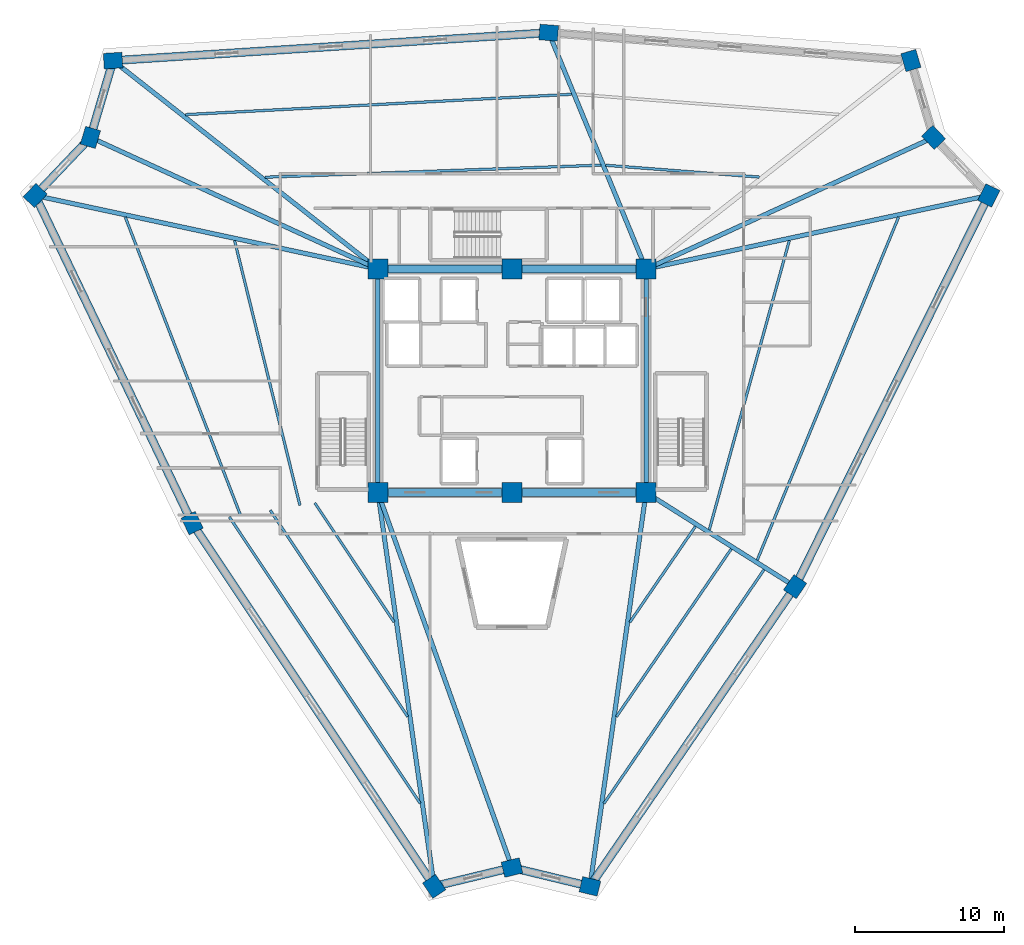
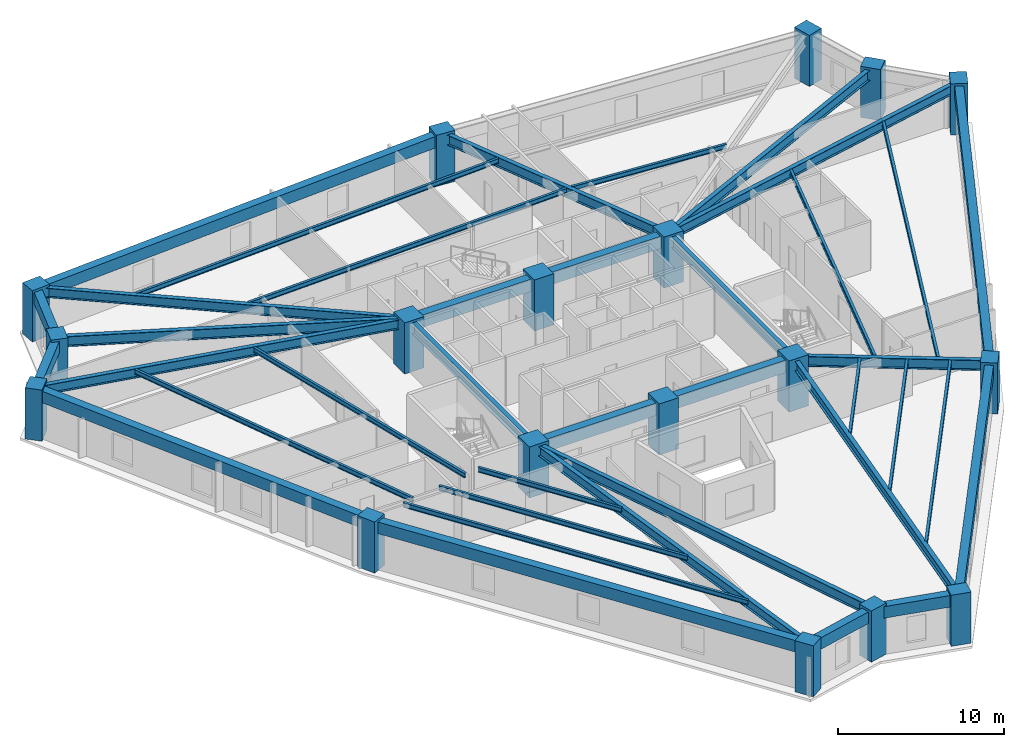
# One storey, part 1 of 8: 38 beams, 18 columns.
"""IFC4 building model written with IfcOpenShell, lengths in metres."""

import ifcopenshell
import ifcopenshell.guid

model = None  # the IFC model being written
_history = None  # IfcOwnerHistory: only IFC2X3 demands one
_inside = {}  # id of a spatial element -> (the spatial element, [elements in it])
_under = {}  # id of a project, library or spatial element -> (it, [spatial elements below it])
_declared = {}  # id of a project -> (the project, [libraries it declares])
_typed = {}  # id of a type object -> (the type object, [elements of that type])
_made_of = {}  # id of a material, layer set ... -> (it, [elements and type objects made of it])


def new_model(schema):
    """Start an empty IFC model of exactly this schema.

    Asked for "IFC4X3", IfcOpenShell would pick the latest addendum, in which some entities
    have other attributes; the version numbers below select the first issue.
    IFC2X3 requires an IfcOwnerHistory on every rooted entity: one is made here for all.
    """
    global model, _history
    if schema == "IFC4X3":
        model = ifcopenshell.file(schema_version=(4, 3, 0, 0))
    else:
        model = ifcopenshell.file(schema=schema)
    _inside.clear()
    _under.clear()
    _declared.clear()
    _typed.clear()
    _made_of.clear()
    _history = None
    if model.schema == "IFC2X3":
        org = make("IfcOrganization", Name="unknown")
        user = make(
            "IfcPersonAndOrganization",
            ThePerson=make("IfcPerson", FamilyName="unknown"),
            TheOrganization=org,
        )
        app = make(
            "IfcApplication",
            ApplicationDeveloper=org,
            Version="unknown",
            ApplicationFullName="unknown",
            ApplicationIdentifier="unknown",
        )
        _history = make(
            "IfcOwnerHistory",
            OwningUser=user,
            OwningApplication=app,
            ChangeAction="ADDED",
            CreationDate=0,
        )
    return model


def make(cls, **values):
    """One entity of the class cls with the attributes given. An attribute that is None is left unset."""
    return model.create_entity(
        cls, **{name: value for name, value in values.items() if value is not None}
    )


def rooted(cls, **values):
    """An entity with a GlobalId (a new one), such as an element, a storey or a relation."""
    return make(cls, GlobalId=ifcopenshell.guid.new(), OwnerHistory=_history, **values)


def si_unit(unit_type, name, prefix=None):
    """IfcSIUnit, for example si_unit("LENGTHUNIT", "METRE", prefix="MILLI")."""
    return make("IfcSIUnit", UnitType=unit_type, Prefix=prefix, Name=name)


def assignment(units):
    """IfcUnitAssignment: the units of a project."""
    return None if units is None else make("IfcUnitAssignment", Units=units)


def point(xyz):
    """IfcCartesianPoint."""
    return None if xyz is None else make("IfcCartesianPoint", Coordinates=xyz)


def direction(xyz):
    """IfcDirection."""
    return None if xyz is None else make("IfcDirection", DirectionRatios=xyz)


def frame(location, z_axis=None, x_axis=None):
    """IfcAxis2Placement3D, a coordinate frame: its origin and axes. An axis left out is left unset."""
    return make(
        "IfcAxis2Placement3D",
        Location=point(location),
        Axis=direction(z_axis),
        RefDirection=direction(x_axis),
    )


def frame_2d(location, x_axis=None):
    """IfcAxis2Placement2D, a coordinate frame in the plane: its origin and x axis."""
    return make(
        "IfcAxis2Placement2D", Location=point(location), RefDirection=direction(x_axis)
    )


def origin():
    """The frame at (0, 0, 0) with its axes left unset."""
    return frame((0.0, 0.0, 0.0))


def origin_2d():
    """The frame at (0, 0) in the plane with its x axis left unset."""
    return frame_2d((0.0, 0.0))


def place(relative_to, where):
    """IfcLocalPlacement: puts the frame where relative to a parent placement (None: the world)."""
    return make(
        "IfcLocalPlacement", PlacementRelTo=relative_to, RelativePlacement=where
    )


def context(
    kind, dimensions, precision=None, world=None, true_north=None, identifier=None
):
    """IfcGeometricRepresentationContext, for example the 3D "Model" context."""
    return make(
        "IfcGeometricRepresentationContext",
        ContextIdentifier=identifier,
        ContextType=kind,
        CoordinateSpaceDimension=dimensions,
        Precision=precision,
        WorldCoordinateSystem=world,
        TrueNorth=true_north,
    )


def subcontext(parent, identifier, kind, view, scale=None):
    """IfcGeometricRepresentationSubContext, for example "Body" below "Model"."""
    return make(
        "IfcGeometricRepresentationSubContext",
        ContextIdentifier=identifier,
        ContextType=kind,
        ParentContext=parent,
        TargetScale=scale,
        TargetView=view,
    )


def project(units=None, contexts=None):
    """IfcProject with its units and contexts."""
    return rooted(
        "IfcProject",
        Name="project",
        RepresentationContexts=contexts,
        UnitsInContext=assignment(units),
    )


def spatial(cls, under=None, at=None, **own):
    """A site, building, storey or space (cls), placed at a placement, below another one or the project."""
    s = rooted(cls, ObjectPlacement=at, **own)
    if under is not None:
        _under.setdefault(under.id(), (under, []))[1].append(s)
    return s


def profile(cls, at=None, kind="AREA", **sizes):
    """A parametric profile (cls). Its sizes go by their IFC names, for example OverallWidth=200.0."""
    return make(cls, ProfileType=kind, Position=at, **sizes)


def rectangle(**sizes):
    """IfcRectangleProfileDef."""
    return profile("IfcRectangleProfileDef", **sizes)


def i_section(**sizes):
    """IfcIShapeProfileDef."""
    return profile("IfcIShapeProfileDef", **sizes)


def extrude(swept, where, along, depth):
    """IfcExtrudedAreaSolid: the profile swept, set in the frame where, extruded along a direction by depth."""
    return make(
        "IfcExtrudedAreaSolid",
        SweptArea=swept,
        Position=where,
        ExtrudedDirection=direction(along),
        Depth=depth,
    )


def shape(context_of_items, identifier, shape_type, items):
    """IfcShapeRepresentation: the items that make up one representation, for example the "Body"."""
    return make(
        "IfcShapeRepresentation",
        ContextOfItems=context_of_items,
        RepresentationIdentifier=identifier,
        RepresentationType=shape_type,
        Items=items,
    )


def source(mapping_origin, context_of_items, identifier, shape_type, items):
    """IfcRepresentationMap: a shape defined once, which mapped items show again and again."""
    return make(
        "IfcRepresentationMap",
        MappingOrigin=mapping_origin,
        MappedRepresentation=shape(context_of_items, identifier, shape_type, items),
    )


def transform(
    local_origin,
    x_axis=None,
    y_axis=None,
    z_axis=None,
    scale=None,
    scale2=None,
    scale3=None,
    uniform=True,
):
    """IfcCartesianTransformationOperator3D, or its non-uniform kind. x_axis, y_axis, z_axis: its Axis1, 2, 3."""
    if uniform:
        return make(
            "IfcCartesianTransformationOperator3D",
            Axis1=direction(x_axis),
            Axis2=direction(y_axis),
            LocalOrigin=point(local_origin),
            Scale=scale,
            Axis3=direction(z_axis),
        )
    return make(
        "IfcCartesianTransformationOperator3DnonUniform",
        Axis1=direction(x_axis),
        Axis2=direction(y_axis),
        LocalOrigin=point(local_origin),
        Scale=scale,
        Axis3=direction(z_axis),
        Scale2=scale2,
        Scale3=scale3,
    )


def mapped(mapping_source, mapping_target):
    """IfcMappedItem: shows the shape of a source again, moved by a transform."""
    return make(
        "IfcMappedItem", MappingSource=mapping_source, MappingTarget=mapping_target
    )


def material(Name=None, Category=None):
    """IfcMaterial."""
    return make("IfcMaterial", Name=Name, Category=Category)


def material_profile(
    of_material, cross_section, Name=None, Category=None, Priority=None
):
    """IfcMaterialProfile: a cross section and its material."""
    return make(
        "IfcMaterialProfile",
        Name=Name,
        Material=of_material,
        Profile=cross_section,
        Priority=Priority,
        Category=Category,
    )


def profile_set(profiles, Name=None, composite=None):
    """IfcMaterialProfileSet."""
    return make(
        "IfcMaterialProfileSet",
        Name=Name,
        MaterialProfiles=profiles,
        CompositeProfile=composite,
    )


def made_of(thing, what):
    """Note that an element or type object is made of a material, layer set ...; save() writes the relation."""
    if what is not None:
        _made_of.setdefault(what.id(), (what, []))[1].append(thing)
    return thing


def type_object(cls, material=None, **own):
    """A type object (cls), such as IfcWallType, which elements share."""
    return made_of(rooted(cls, **own), material)


def element(
    cls,
    number,
    at=None,
    inside=None,
    cuts=None,
    type_object=None,
    material=None,
    context=None,
    identifier="Body",
    shape_type=None,
    held_by="IfcProductDefinitionShape",
    body=None,
    shapes=None,
    **own,
):
    """One element of the class cls, such as IfcWall. Its Tag is "e" and its number.

    at: its placement. inside: the storey or other place that contains it. cuts: it is an
    opening in that element (IfcRelVoidsElement). A single representation is given by context,
    identifier, shape_type and body (its items); several are given by shapes. held_by: the class
    of the entity that holds the representations. save() writes the other relations.
    """
    e = rooted(cls, Tag="e%d" % number, ObjectPlacement=at, **own)
    if body is not None:
        shapes = [shape(context, identifier, shape_type, body)]
    if shapes is not None:
        e.Representation = make(held_by, Representations=shapes)
    if inside is not None:
        _inside.setdefault(inside.id(), (inside, []))[1].append(e)
    if cuts is not None:
        rooted(
            "IfcRelVoidsElement", RelatingBuildingElement=cuts, RelatedOpeningElement=e
        )
    if type_object is not None:
        _typed.setdefault(type_object.id(), (type_object, []))[1].append(e)
    return made_of(e, material)


def aggregate(whole, parts):
    """IfcRelAggregates: a whole, such as a stair, and the parts it consists of."""
    return rooted("IfcRelAggregates", RelatingObject=whole, RelatedObjects=parts)


def save(model, path):
    """Write the relations noted so far, then the file.

    IfcRelAggregates (storeys below a building ...), IfcRelContainedInSpatialStructure (elements
    in a storey), IfcRelDefinesByType, IfcRelAssociatesMaterial and IfcRelDeclares: one each for
    every whole, place, type object, material and project.
    """
    for whole, parts in _under.values():
        aggregate(whole, parts)
    for where, things in _inside.values():
        rooted(
            "IfcRelContainedInSpatialStructure",
            RelatedElements=things,
            RelatingStructure=where,
        )
    for kind, things in _typed.values():
        rooted("IfcRelDefinesByType", RelatedObjects=things, RelatingType=kind)
    for what, things in _made_of.values():
        rooted("IfcRelAssociatesMaterial", RelatedObjects=things, RelatingMaterial=what)
    for by, libraries in _declared.values():
        rooted("IfcRelDeclares", RelatingContext=by, RelatedDefinitions=libraries)
    model.write(path)


model = new_model("IFC4")

# Units and contexts
model_context = context("Model", 3, precision=1e-05, world=origin(), true_north=direction((0.0, 1.0)))
body_context = subcontext(model_context, "Body", "Model", "MODEL_VIEW")
ifc_project = project(units=[si_unit("LENGTHUNIT", "METRE"), si_unit("AREAUNIT", "SQUARE_METRE"), si_unit("VOLUMEUNIT", "CUBIC_METRE"), si_unit("PLANEANGLEUNIT", "RADIAN"), si_unit("MASSUNIT", "GRAM", prefix="KILO")], contexts=[model_context])

# Site, building, storey
site_placement = place(None, origin())
site = spatial("IfcSite", under=ifc_project, at=site_placement, CompositionType="ELEMENT")
building_placement = place(site_placement, origin())
building = spatial("IfcBuilding", under=site, at=building_placement, Name="Liaohun Quay Tower", CompositionType="ELEMENT")
storey_placement = place(building_placement, frame((0.0, 0.0, 247.5)))
storey = spatial("IfcBuildingStorey", under=building, at=storey_placement, Name="L64", CompositionType="ELEMENT", Elevation=247.5)

# Columns
ifc_material_1 = material(Name="Concrete C55", Category="concrete")
ifc_material_profile_1 = material_profile(ifc_material_1, rectangle(XDim=1.35009765625, YDim=1.35009765625, at=origin_2d()), Name="RC1350x1350")
ifc_profile_set_1 = profile_set([ifc_material_profile_1], Name="Concrete C55")
column_type_1 = type_object("IfcColumnType", Name="COL-CC-Z3", PredefinedType="COLUMN", material=ifc_profile_set_1)
shared_shape_1 = source(origin(), body_context, "Body", "SweptSolid", [
    extrude(rectangle(XDim=1.35009765625, YDim=1.35009765625, at=origin_2d()), origin(), (0.0, 0.0, 1.0), 3.75),
])
for number, where, z_axis, x_axis, name in (
    (1, (51.0, 46.5, 0.0), (0.0, 0.0, 1.0), (1.0, 0.0, 0.0), "L64 Core Column CC1"),
    (2, (60.0, 46.5, 0.0), (0.0, 0.0, 1.0), (1.0, 0.0, 0.0), "L64 Core Column CC2"),
    (3, (69.0, 46.5, 0.0), (0.0, 0.0, 1.0), (1.0, 0.0, 0.0), "L64 Core Column CC3"),
    (4, (69.0, 61.5, 0.0), (0.0, 0.0, 1.0), (1.0, 0.0, 0.0), "L64 Core Column CC4"),
    (5, (60.0, 61.5, 0.0), (0.0, 0.0, 1.0), (1.0, 0.0, 0.0), "L64 Core Column CC5"),
    (6, (51.0, 61.5, 0.0), (0.0, 0.0, 1.0), (1.0, 0.0, 0.0), "L64 Core Column CC6"),
):
    element("IfcColumn", number, at=place(storey_placement, frame(where, z_axis=z_axis, x_axis=x_axis)), inside=storey, type_object=column_type_1, Name=name, PredefinedType="COLUMN", context=body_context, shape_type="MappedRepresentation", body=[
        mapped(shared_shape_1, transform((0.0, 0.0, 0.0), x_axis=(1.0, 0.0, 0.0), y_axis=(0.0, 1.0, 0.0), z_axis=(0.0, 0.0, 1.0), scale=1.0)),
    ])
ifc_material_profile_2 = material_profile(ifc_material_1, rectangle(XDim=1.25, YDim=1.050048828125, at=origin_2d()), Name="RC1250x1050")
ifc_profile_set_2 = profile_set([ifc_material_profile_2], Name="Concrete C55")
column_type_2 = type_object("IfcColumnType", Name="COL-PIER-Z3", PredefinedType="COLUMN", material=ifc_profile_set_2)
shared_shape_2 = source(origin(), body_context, "Body", "SweptSolid", [
    extrude(rectangle(XDim=1.25, YDim=1.050048828125, at=origin_2d()), origin(), (0.0, 0.0, 1.0), 3.75),
])
for number, where, z_axis, x_axis, name in (
    (7, (54.77587890625, 20.06005859375, 0.0), (0.0, 0.0, 1.0), (-0.554408741251, 0.832244523938, 0.0), "L64 Perimeter Pier PC01"),
    (8, (38.530029296875, 44.447998046875, 0.0), (0.0, 0.0, 1.0), (-0.432243141689, 0.90175709948, 0.0), "L64 Perimeter Pier PC02"),
    (9, (27.989990234375, 66.44091796875, 0.0), (0.0, 0.0, 1.0), (0.68936671806, 0.724412539946, 0.0), "L64 Perimeter Pier PC03"),
    (10, (31.698974609375, 70.339111328125, 0.0), (0.0, 0.0, 1.0), (0.28284371374, 0.959166009405, 0.0), "L64 Perimeter Pier PC04"),
    (11, (33.218994140625, 75.493896484375, 0.0), (0.0, 0.0, 1.0), (0.997949270516, 0.064009792035, 0.0), "L64 Perimeter Pier PC05"),
    (12, (62.464111328125, 77.3701171875, 0.0), (0.0, 0.0, 1.0), (-0.997066127037, 0.076545008426, 0.0), "L64 Perimeter Pier PC06"),
    (13, (86.778076171875, 75.5009765625, 0.0), (0.0, 0.0, 1.0), (-0.28284371374, 0.959166009405, 0.0), "L64 Perimeter Pier PC07"),
    (14, (88.301025390625, 70.339111328125, 0.0), (0.0, 0.0, 1.0), (-0.68936671806, 0.724412539946, 0.0), "L64 Perimeter Pier PC08"),
    (15, (92.0048828125, 66.446044921875, 0.0), (0.0, 0.0, 1.0), (0.443540529265, 0.896254315973, 0.0), "L64 Perimeter Pier PC09"),
    (16, (79.008056640625, 40.181884765625, 0.0), (0.0, 0.0, 1.0), (0.564822985348, 0.825212091054, 0.0), "L64 Perimeter Pier PC10"),
    (17, (65.23193359375, 20.05810546875, 0.0), (0.0, 0.0, 1.0), (-0.972043021443, 0.234802820391, 0.0), "L64 Perimeter Pier PC11"),
    (18, (60.0, 21.321044921875, 0.0), (0.0, 0.0, 1.0), (0.972043021443, 0.234802820391, 0.0), "L64 Perimeter Pier PC12"),
):
    element("IfcColumn", number, at=place(storey_placement, frame(where, z_axis=z_axis, x_axis=x_axis)), inside=storey, type_object=column_type_2, Name=name, PredefinedType="COLUMN", context=body_context, shape_type="MappedRepresentation", body=[
        mapped(shared_shape_2, transform((0.0, 0.0, 0.0), x_axis=(1.0, 0.0, 0.0), y_axis=(0.0, 1.0, 0.0), z_axis=(0.0, 0.0, 1.0), scale=1.0)),
    ])

# Beams
ifc_material_2 = material(Name="Steel Q355D", Category="steel")
ifc_material_profile_3 = material_profile(ifc_material_2, i_section(OverallWidth=0.300048828125, OverallDepth=0.800048828125, WebThickness=0.013916015625, FlangeThickness=0.02587890625, at=origin_2d()), Name="HN800x300x14x26")
ifc_profile_set_3 = profile_set([ifc_material_profile_3], Name="Steel Q355D")
beam_type_1 = type_object("IfcBeamType", Name="BM-RAD-M1", PredefinedType="BEAM", material=ifc_profile_set_3)
shared_shape_3 = source(origin(), body_context, "Body", "SweptSolid", [
    extrude(i_section(OverallWidth=0.300048828125, OverallDepth=0.800048828125, WebThickness=0.013916015625, FlangeThickness=0.02587890625, at=origin_2d()), origin(), (0.0, 0.0, 1.0), 15.0),
])
for number, where, z_axis, x_axis, name in (
    (19, (69.0, 46.5, 3.169921875), (0.0, 1.0, 0.0), (-1.0, 0.0, 0.0), "L64 Core Coupling/Ring Beam CC3-CC4"),
    (20, (51.0, 61.5, 3.169921875), (0.0, -1.0, 0.0), (1.0, 0.0, 0.0), "L64 Core Coupling/Ring Beam CC6-CC1"),
):
    element("IfcBeam", number, at=place(storey_placement, frame(where, z_axis=z_axis, x_axis=x_axis)), inside=storey, type_object=beam_type_1, Name=name, PredefinedType="BEAM", context=body_context, shape_type="MappedRepresentation", body=[
        mapped(shared_shape_3, transform((0.0, 0.0, 0.0), x_axis=(1.0, 0.0, 0.0), y_axis=(0.0, 1.0, 0.0), z_axis=(0.0, 0.0, 1.0), scale=1.0)),
    ])
ifc_material_profile_4 = material_profile(ifc_material_1, rectangle(XDim=0.550048828125, YDim=0.89990234375, at=origin_2d()), Name="RC550x900")
ifc_profile_set_4 = profile_set([ifc_material_profile_4], Name="Concrete C55")
beam_type_2 = type_object("IfcBeamType", Name="BM-CPL-2", PredefinedType="LINTEL", material=ifc_profile_set_4)
shared_shape_4 = source(origin(), body_context, "Body", "SweptSolid", [
    extrude(rectangle(XDim=0.550048828125, YDim=0.89990234375, at=origin_2d()), origin(), (0.0, 0.0, 1.0), 9.0),
])
for number, where, z_axis, x_axis, name in (
    (21, (51.0, 46.5, 3.1201171875), (1.0, 0.0, 0.0), (0.0, 1.0, 0.0), "L64 Core Coupling/Ring Beam CC1-CC2"),
    (22, (60.0, 46.5, 3.1201171875), (1.0, 0.0, 0.0), (0.0, 1.0, 0.0), "L64 Core Coupling/Ring Beam CC2-CC3"),
    (23, (69.0, 61.5, 3.1201171875), (-1.0, 0.0, 0.0), (0.0, -1.0, 0.0), "L64 Core Coupling/Ring Beam CC4-CC5"),
    (24, (60.0, 61.5, 3.1201171875), (-1.0, 0.0, 0.0), (0.0, -1.0, 0.0), "L64 Core Coupling/Ring Beam CC5-CC6"),
):
    element("IfcBeam", number, at=place(storey_placement, frame(where, z_axis=z_axis, x_axis=x_axis)), inside=storey, type_object=beam_type_2, Name=name, PredefinedType="LINTEL", context=body_context, shape_type="MappedRepresentation", body=[
        mapped(shared_shape_4, transform((0.0, 0.0, 0.0), x_axis=(1.0, 0.0, 0.0), y_axis=(0.0, 1.0, 0.0), z_axis=(0.0, 0.0, 1.0), scale=1.0)),
    ])
ifc_material_profile_5 = material_profile(ifc_material_2, i_section(OverallWidth=0.300048828125, OverallDepth=0.699951171875, WebThickness=0.012939453125, FlangeThickness=0.02392578125, at=origin_2d()), Name="HN700x300x13x24")
ifc_profile_set_5 = profile_set([ifc_material_profile_5], Name="Steel Q355D")
beam_type_3 = type_object("IfcBeamType", Name="BM-RAD-U1", PredefinedType="BEAM", material=ifc_profile_set_5)
shared_shape_5 = source(origin(), body_context, "Body", "SweptSolid", [
    extrude(i_section(OverallWidth=0.300048828125, OverallDepth=0.699951171875, WebThickness=0.012939453125, FlangeThickness=0.02392578125, at=origin_2d()), origin(), (0.0, 0.0, 1.0), 26.708251953125),
])
beam_1_placement = place(storey_placement, frame((51.0, 46.5, 3.219970703125), z_axis=(0.141375285255, -0.989956074136, 0.0), x_axis=(0.989956074136, 0.141375285255, 0.0)))
element("IfcBeam", 25, at=beam_1_placement, inside=storey, type_object=beam_type_3, Name="L64 Radial Primary Girder CC1-PC01", PredefinedType="BEAM", context=body_context, shape_type="MappedRepresentation", body=[
    mapped(shared_shape_5, transform((0.0, 0.0, 0.0), x_axis=(1.0, 0.0, 0.0), y_axis=(0.0, 1.0, 0.0), z_axis=(0.0, 0.0, 1.0), scale=1.0)),
])
shared_shape_6 = source(origin(), body_context, "Body", "SweptSolid", [
    extrude(i_section(OverallWidth=0.300048828125, OverallDepth=0.699951171875, WebThickness=0.012939453125, FlangeThickness=0.02392578125, at=origin_2d()), origin(), (0.0, 0.0, 1.0), 23.534423828125),
])
beam_2_placement = place(storey_placement, frame((51.0, 61.5, 3.219970703125), z_axis=(-0.977713517011, 0.209943513006, 0.0), x_axis=(-0.209943513006, -0.977713517011, 0.0)))
element("IfcBeam", 26, at=beam_2_placement, inside=storey, type_object=beam_type_3, Name="L64 Radial Primary Girder CC6-PC03", PredefinedType="BEAM", context=body_context, shape_type="MappedRepresentation", body=[
    mapped(shared_shape_6, transform((0.0, 0.0, 0.0), x_axis=(1.0, 0.0, 0.0), y_axis=(0.0, 1.0, 0.0), z_axis=(0.0, 0.0, 1.0), scale=1.0)),
])
ifc_material_profile_6 = material_profile(ifc_material_2, i_section(OverallWidth=0.300048828125, OverallDepth=0.75, WebThickness=0.013916015625, FlangeThickness=0.02587890625, at=origin_2d()), Name="HN750x300x14x26")
ifc_profile_set_6 = profile_set([ifc_material_profile_6], Name="Steel Q355D")
beam_type_4 = type_object("IfcBeamType", Name="BM-RAD-M2", PredefinedType="BEAM", material=ifc_profile_set_6)
shared_shape_7 = source(origin(), body_context, "Body", "SweptSolid", [
    extrude(i_section(OverallWidth=0.300048828125, OverallDepth=0.75, WebThickness=0.013916015625, FlangeThickness=0.02587890625, at=origin_2d()), origin(), (0.0, 0.0, 1.0), 21.228759765625),
])
for number, where, z_axis, x_axis, name in (
    (27, (51.0, 61.5, 3.195068359375), (-0.90919310001, 0.416374719327, 0.0), (-0.416374719327, -0.90919310001, 0.0), "L64 Radial Primary Girder CC6-PC04"),
    (28, (69.0, 61.5, 3.195068359375), (0.90919310001, 0.416374719327, 0.0), (-0.416374719327, 0.90919310001, 0.0), "L64 Radial Primary Girder CC4-PC08"),
):
    element("IfcBeam", number, at=place(storey_placement, frame(where, z_axis=z_axis, x_axis=x_axis)), inside=storey, type_object=beam_type_4, Name=name, PredefinedType="BEAM", context=body_context, shape_type="MappedRepresentation", body=[
        mapped(shared_shape_7, transform((0.0, 0.0, 0.0), x_axis=(1.0, 0.0, 0.0), y_axis=(0.0, 1.0, 0.0), z_axis=(0.0, 0.0, 1.0), scale=1.0)),
    ])
shared_shape_8 = source(origin(), body_context, "Body", "SweptSolid", [
    extrude(i_section(OverallWidth=0.300048828125, OverallDepth=0.699951171875, WebThickness=0.012939453125, FlangeThickness=0.02392578125, at=origin_2d()), origin(), (0.0, 0.0, 1.0), 22.627197265625),
])
beam_3_placement = place(storey_placement, frame((51.0, 61.5, 3.219970703125), z_axis=(-0.785821999061, 0.618452735294, 0.0), x_axis=(-0.618452735294, -0.785821999061, 0.0)))
element("IfcBeam", 29, at=beam_3_placement, inside=storey, type_object=beam_type_3, Name="L64 Radial Primary Girder CC6-PC05", PredefinedType="BEAM", context=body_context, shape_type="MappedRepresentation", body=[
    mapped(shared_shape_8, transform((0.0, 0.0, 0.0), x_axis=(1.0, 0.0, 0.0), y_axis=(0.0, 1.0, 0.0), z_axis=(0.0, 0.0, 1.0), scale=1.0)),
])
shared_shape_9 = source(origin(), body_context, "Body", "SweptSolid", [
    extrude(i_section(OverallWidth=0.300048828125, OverallDepth=0.75, WebThickness=0.013916015625, FlangeThickness=0.02587890625, at=origin_2d()), origin(), (0.0, 0.0, 1.0), 17.163330078125),
])
beam_4_placement = place(storey_placement, frame((69.0, 61.5, 3.195068359375), z_axis=(-0.380806324116, 0.924654823982, 0.0), x_axis=(-0.924654823982, -0.380806324116, 0.0)))
element("IfcBeam", 30, at=beam_4_placement, inside=storey, type_object=beam_type_4, Name="L64 Radial Primary Girder CC4-PC06", PredefinedType="BEAM", context=body_context, shape_type="MappedRepresentation", body=[
    mapped(shared_shape_9, transform((0.0, 0.0, 0.0), x_axis=(1.0, 0.0, 0.0), y_axis=(0.0, 1.0, 0.0), z_axis=(0.0, 0.0, 1.0), scale=1.0)),
])
shared_shape_10 = source(origin(), body_context, "Body", "SweptSolid", [
    extrude(i_section(OverallWidth=0.300048828125, OverallDepth=0.699951171875, WebThickness=0.012939453125, FlangeThickness=0.02392578125, at=origin_2d()), origin(), (0.0, 0.0, 1.0), 23.530517578125),
])
beam_5_placement = place(storey_placement, frame((69.0, 61.5, 3.219970703125), z_axis=(0.977659156704, 0.210196511182, 0.0), x_axis=(-0.210196511182, 0.977659156704, 0.0)))
element("IfcBeam", 31, at=beam_5_placement, inside=storey, type_object=beam_type_3, Name="L64 Radial Primary Girder CC4-PC09", PredefinedType="BEAM", context=body_context, shape_type="MappedRepresentation", body=[
    mapped(shared_shape_10, transform((0.0, 0.0, 0.0), x_axis=(1.0, 0.0, 0.0), y_axis=(0.0, 1.0, 0.0), z_axis=(0.0, 0.0, 1.0), scale=1.0)),
])
shared_shape_11 = source(origin(), body_context, "Body", "SweptSolid", [
    extrude(i_section(OverallWidth=0.300048828125, OverallDepth=0.75, WebThickness=0.013916015625, FlangeThickness=0.02587890625, at=origin_2d()), origin(), (0.0, 0.0, 1.0), 11.83544921875),
])
beam_6_placement = place(storey_placement, frame((69.0, 46.5, 3.195068359375), z_axis=(0.845594272017, -0.533826120692, 0.0), x_axis=(0.533826120692, 0.845594272017, 0.0)))
element("IfcBeam", 32, at=beam_6_placement, inside=storey, type_object=beam_type_4, Name="L64 Radial Primary Girder CC3-PC10", PredefinedType="BEAM", context=body_context, shape_type="MappedRepresentation", body=[
    mapped(shared_shape_11, transform((0.0, 0.0, 0.0), x_axis=(1.0, 0.0, 0.0), y_axis=(0.0, 1.0, 0.0), z_axis=(0.0, 0.0, 1.0), scale=1.0)),
])
shared_shape_12 = source(origin(), body_context, "Body", "SweptSolid", [
    extrude(i_section(OverallWidth=0.300048828125, OverallDepth=0.699951171875, WebThickness=0.012939453125, FlangeThickness=0.02392578125, at=origin_2d()), origin(), (0.0, 0.0, 1.0), 26.708984375),
])
beam_7_placement = place(storey_placement, frame((69.0, 46.5, 3.219970703125), z_axis=(-0.141078386686, -0.989998428691, 0.0), x_axis=(0.989998428691, -0.141078386686, 0.0)))
element("IfcBeam", 33, at=beam_7_placement, inside=storey, type_object=beam_type_3, Name="L64 Radial Primary Girder CC3-PC11", PredefinedType="BEAM", context=body_context, shape_type="MappedRepresentation", body=[
    mapped(shared_shape_12, transform((0.0, 0.0, 0.0), x_axis=(1.0, 0.0, 0.0), y_axis=(0.0, 1.0, 0.0), z_axis=(0.0, 0.0, 1.0), scale=1.0)),
])
shared_shape_13 = source(origin(), body_context, "Body", "SweptSolid", [
    extrude(i_section(OverallWidth=0.300048828125, OverallDepth=0.75, WebThickness=0.013916015625, FlangeThickness=0.02587890625, at=origin_2d()), origin(), (0.0, 0.0, 1.0), 26.739013671875),
])
beam_8_placement = place(storey_placement, frame((51.0, 46.5, 3.195068359375), z_axis=(0.336585675987, -0.941652846181, 0.0), x_axis=(0.941652846181, 0.336585675987, 0.0)))
element("IfcBeam", 34, at=beam_8_placement, inside=storey, type_object=beam_type_4, Name="L64 Radial Primary Girder CC1-PC12", PredefinedType="BEAM", context=body_context, shape_type="MappedRepresentation", body=[
    mapped(shared_shape_13, transform((0.0, 0.0, 0.0), x_axis=(1.0, 0.0, 0.0), y_axis=(0.0, 1.0, 0.0), z_axis=(0.0, 0.0, 1.0), scale=1.0)),
])
ifc_material_profile_7 = material_profile(ifc_material_2, i_section(OverallWidth=0.175048828125, OverallDepth=0.35009765625, WebThickness=0.007080078125, FlangeThickness=0.010986328125, at=origin_2d()), Name="HN350x175x7x11")
ifc_profile_set_7 = profile_set([ifc_material_profile_7], Name="Steel Q355D")
beam_type_5 = type_object("IfcBeamType", Name="BM-SEC-J3", PredefinedType="JOIST", material=ifc_profile_set_7)
shared_shape_14 = source(origin(), body_context, "Body", "SweptSolid", [
    extrude(i_section(OverallWidth=0.175048828125, OverallDepth=0.35009765625, WebThickness=0.007080078125, FlangeThickness=0.010986328125, at=origin_2d()), origin(), (0.0, 0.0, 1.0), 9.615234375),
])
beam_9_placement = place(storey_placement, frame((52.091064453125, 37.800048828125, 3.39501953125), z_axis=(-0.554442351207, 0.83222213332, 0.0), x_axis=(-0.83222213332, -0.554442351207, 0.0)))
element("IfcBeam", 35, at=beam_9_placement, inside=storey, type_object=beam_type_5, Name="L64 Wing Secondary Floor Joist SJ-01", PredefinedType="JOIST", context=body_context, shape_type="MappedRepresentation", body=[
    mapped(shared_shape_14, transform((0.0, 0.0, 0.0), x_axis=(1.0, 0.0, 0.0), y_axis=(0.0, 1.0, 0.0), z_axis=(0.0, 0.0, 1.0), scale=1.0)),
])
shared_shape_15 = source(origin(), body_context, "Body", "SweptSolid", [
    extrude(i_section(OverallWidth=0.175048828125, OverallDepth=0.35009765625, WebThickness=0.007080078125, FlangeThickness=0.010986328125, at=origin_2d()), origin(), (0.0, 0.0, 1.0), 16.648681640625),
])
beam_10_placement = place(storey_placement, frame((52.9970703125, 31.4541015625, 3.39501953125), z_axis=(-0.554395594444, 0.832253281677, 0.0), x_axis=(-0.832253281677, -0.554395594444, 0.0)))
element("IfcBeam", 36, at=beam_10_placement, inside=storey, type_object=beam_type_5, Name="L64 Wing Secondary Floor Joist SJ-02", PredefinedType="JOIST", context=body_context, shape_type="MappedRepresentation", body=[
    mapped(shared_shape_15, transform((0.0, 0.0, 0.0), x_axis=(1.0, 0.0, 0.0), y_axis=(0.0, 1.0, 0.0), z_axis=(0.0, 0.0, 1.0), scale=1.0)),
])
shared_shape_16 = source(origin(), body_context, "Body", "SweptSolid", [
    extrude(i_section(OverallWidth=0.175048828125, OverallDepth=0.35009765625, WebThickness=0.007080078125, FlangeThickness=0.010986328125, at=origin_2d()), origin(), (0.0, 0.0, 1.0), 23.09423828125),
])
beam_11_placement = place(storey_placement, frame((53.827880859375, 25.637939453125, 3.39501953125), z_axis=(-0.554419614715, 0.832237280359, 0.0), x_axis=(-0.832237280359, -0.554419614715, 0.0)))
element("IfcBeam", 37, at=beam_11_placement, inside=storey, type_object=beam_type_5, Name="L64 Wing Secondary Floor Joist SJ-03", PredefinedType="JOIST", context=body_context, shape_type="MappedRepresentation", body=[
    mapped(shared_shape_16, transform((0.0, 0.0, 0.0), x_axis=(1.0, 0.0, 0.0), y_axis=(0.0, 1.0, 0.0), z_axis=(0.0, 0.0, 1.0), scale=1.0)),
])
shared_shape_17 = source(origin(), body_context, "Body", "SweptSolid", [
    extrude(i_section(OverallWidth=0.175048828125, OverallDepth=0.35009765625, WebThickness=0.007080078125, FlangeThickness=0.010986328125, at=origin_2d()), origin(), (0.0, 0.0, 1.0), 18.30859375),
])
beam_12_placement = place(storey_placement, frame((45.762939453125, 45.637939453125, 3.39501953125), z_axis=(-0.239613415193, 0.970868379987, 0.0), x_axis=(-0.970868379987, -0.239613415193, 0.0)))
element("IfcBeam", 38, at=beam_12_placement, inside=storey, type_object=beam_type_5, Name="L64 Wing Secondary Floor Joist SJ-04", PredefinedType="JOIST", context=body_context, shape_type="MappedRepresentation", body=[
    mapped(shared_shape_17, transform((0.0, 0.0, 0.0), x_axis=(1.0, 0.0, 0.0), y_axis=(0.0, 1.0, 0.0), z_axis=(0.0, 0.0, 1.0), scale=1.0)),
])
shared_shape_18 = source(origin(), body_context, "Body", "SweptSolid", [
    extrude(i_section(OverallWidth=0.175048828125, OverallDepth=0.35009765625, WebThickness=0.007080078125, FlangeThickness=0.010986328125, at=origin_2d()), origin(), (0.0, 0.0, 1.0), 21.4501953125),
])
beam_13_placement = place(storey_placement, frame((41.77197265625, 44.98193359375, 3.39501953125), z_axis=(-0.360596213597, 0.932722022223, 0.0), x_axis=(-0.932722022223, -0.360596213597, 0.0)))
element("IfcBeam", 39, at=beam_13_placement, inside=storey, type_object=beam_type_5, Name="L64 Wing Secondary Floor Joist SJ-05", PredefinedType="JOIST", context=body_context, shape_type="MappedRepresentation", body=[
    mapped(shared_shape_18, transform((0.0, 0.0, 0.0), x_axis=(1.0, 0.0, 0.0), y_axis=(0.0, 1.0, 0.0), z_axis=(0.0, 0.0, 1.0), scale=1.0)),
])
shared_shape_19 = source(origin(), body_context, "Body", "SweptSolid", [
    extrude(i_section(OverallWidth=0.175048828125, OverallDepth=0.35009765625, WebThickness=0.007080078125, FlangeThickness=0.010986328125, at=origin_2d()), origin(), (0.0, 0.0, 1.0), 22.57080078125),
])
beam_14_placement = place(storey_placement, frame((43.407958984375, 67.666015625, 3.39501953125), z_axis=(0.999354199367, 0.03593305174, 0.0), x_axis=(-0.03593305174, 0.999354199367, 0.0)))
element("IfcBeam", 40, at=beam_14_placement, inside=storey, type_object=beam_type_5, Name="L64 Wing Secondary Floor Joist SJ-06", PredefinedType="JOIST", context=body_context, shape_type="MappedRepresentation", body=[
    mapped(shared_shape_19, transform((0.0, 0.0, 0.0), x_axis=(1.0, 0.0, 0.0), y_axis=(0.0, 1.0, 0.0), z_axis=(0.0, 0.0, 1.0), scale=1.0)),
])
shared_shape_20 = source(origin(), body_context, "Body", "SweptSolid", [
    extrude(i_section(OverallWidth=0.175048828125, OverallDepth=0.35009765625, WebThickness=0.007080078125, FlangeThickness=0.010986328125, at=origin_2d()), origin(), (0.0, 0.0, 1.0), 25.9716796875),
])
beam_15_placement = place(storey_placement, frame((38.069091796875, 71.867919921875, 3.39501953125), z_axis=(0.998613489368, 0.052641227683, 0.0), x_axis=(-0.052641227683, 0.998613489368, 0.0)))
element("IfcBeam", 41, at=beam_15_placement, inside=storey, type_object=beam_type_5, Name="L64 Wing Secondary Floor Joist SJ-07", PredefinedType="JOIST", context=body_context, shape_type="MappedRepresentation", body=[
    mapped(shared_shape_20, transform((0.0, 0.0, 0.0), x_axis=(1.0, 0.0, 0.0), y_axis=(0.0, 1.0, 0.0), z_axis=(0.0, 0.0, 1.0), scale=1.0)),
])
shared_shape_21 = source(origin(), body_context, "Body", "SweptSolid", [
    extrude(i_section(OverallWidth=0.175048828125, OverallDepth=0.35009765625, WebThickness=0.007080078125, FlangeThickness=0.010986328125, at=origin_2d()), origin(), (0.0, 0.0, 1.0), 10.339599609375),
])
beam_16_placement = place(storey_placement, frame((66.2919921875, 68.469970703125, 3.39501953125), z_axis=(0.997054763287, -0.076692887585, 0.0), x_axis=(0.076692887585, 0.997054763287, 0.0)))
element("IfcBeam", 42, at=beam_16_placement, inside=storey, type_object=beam_type_5, Name="L64 Wing Secondary Floor Joist SJ-08", PredefinedType="JOIST", context=body_context, shape_type="MappedRepresentation", body=[
    mapped(shared_shape_21, transform((0.0, 0.0, 0.0), x_axis=(1.0, 0.0, 0.0), y_axis=(0.0, 1.0, 0.0), z_axis=(0.0, 0.0, 1.0), scale=1.0)),
])
shared_shape_22 = source(origin(), body_context, "Body", "SweptSolid", [
    extrude(i_section(OverallWidth=0.175048828125, OverallDepth=0.35009765625, WebThickness=0.007080078125, FlangeThickness=0.010986328125, at=origin_2d()), origin(), (0.0, 0.0, 1.0), 20.146484375),
])
beam_17_placement = place(storey_placement, frame((78.616943359375, 63.4140625, 3.39501953125), z_axis=(-0.266639944575, -0.963796212877, 0.0), x_axis=(0.963796212877, -0.266639944575, 0.0)))
element("IfcBeam", 43, at=beam_17_placement, inside=storey, type_object=beam_type_5, Name="L64 Wing Secondary Floor Joist SJ-10", PredefinedType="JOIST", context=body_context, shape_type="MappedRepresentation", body=[
    mapped(shared_shape_22, transform((0.0, 0.0, 0.0), x_axis=(1.0, 0.0, 0.0), y_axis=(0.0, 1.0, 0.0), z_axis=(0.0, 0.0, 1.0), scale=1.0)),
])
shared_shape_23 = source(origin(), body_context, "Body", "SweptSolid", [
    extrude(i_section(OverallWidth=0.175048828125, OverallDepth=0.35009765625, WebThickness=0.007080078125, FlangeThickness=0.010986328125, at=origin_2d()), origin(), (0.0, 0.0, 1.0), 24.90576171875),
])
beam_18_placement = place(storey_placement, frame((85.9541015625, 64.991943359375, 3.39501953125), z_axis=(-0.381036237046, -0.924560104081, 0.0), x_axis=(0.924560104081, -0.381036237046, 0.0)))
element("IfcBeam", 44, at=beam_18_placement, inside=storey, type_object=beam_type_5, Name="L64 Wing Secondary Floor Joist SJ-11", PredefinedType="JOIST", context=body_context, shape_type="MappedRepresentation", body=[
    mapped(shared_shape_23, transform((0.0, 0.0, 0.0), x_axis=(1.0, 0.0, 0.0), y_axis=(0.0, 1.0, 0.0), z_axis=(0.0, 0.0, 1.0), scale=1.0)),
])
shared_shape_24 = source(origin(), body_context, "Body", "SweptSolid", [
    extrude(i_section(OverallWidth=0.175048828125, OverallDepth=0.35009765625, WebThickness=0.007080078125, FlangeThickness=0.010986328125, at=origin_2d()), origin(), (0.0, 0.0, 1.0), 7.803466796875),
])
beam_19_placement = place(storey_placement, frame((72.318115234375, 44.22802734375, 3.39501953125), z_axis=(-0.564910456366, -0.825152214012, 0.0), x_axis=(0.825152214012, -0.564910456366, 0.0)))
element("IfcBeam", 45, at=beam_19_placement, inside=storey, type_object=beam_type_5, Name="L64 Wing Secondary Floor Joist SJ-12", PredefinedType="JOIST", context=body_context, shape_type="MappedRepresentation", body=[
    mapped(shared_shape_24, transform((0.0, 0.0, 0.0), x_axis=(1.0, 0.0, 0.0), y_axis=(0.0, 1.0, 0.0), z_axis=(0.0, 0.0, 1.0), scale=1.0)),
])
shared_shape_25 = source(origin(), body_context, "Body", "SweptSolid", [
    extrude(i_section(OverallWidth=0.175048828125, OverallDepth=0.35009765625, WebThickness=0.007080078125, FlangeThickness=0.010986328125, at=origin_2d()), origin(), (0.0, 0.0, 1.0), 13.656005859375),
])
beam_20_placement = place(storey_placement, frame((74.719970703125, 42.7119140625, 3.39501953125), z_axis=(-0.564865276753, -0.825183142774, 0.0), x_axis=(0.825183142774, -0.564865276753, 0.0)))
element("IfcBeam", 46, at=beam_20_placement, inside=storey, type_object=beam_type_5, Name="L64 Wing Secondary Floor Joist SJ-13", PredefinedType="JOIST", context=body_context, shape_type="MappedRepresentation", body=[
    mapped(shared_shape_25, transform((0.0, 0.0, 0.0), x_axis=(1.0, 0.0, 0.0), y_axis=(0.0, 1.0, 0.0), z_axis=(0.0, 0.0, 1.0), scale=1.0)),
])
shared_shape_26 = source(origin(), body_context, "Body", "SweptSolid", [
    extrude(i_section(OverallWidth=0.175048828125, OverallDepth=0.35009765625, WebThickness=0.007080078125, FlangeThickness=0.010986328125, at=origin_2d()), origin(), (0.0, 0.0, 1.0), 19.021728515625),
])
beam_21_placement = place(storey_placement, frame((76.922119140625, 41.322021484375, 3.39501953125), z_axis=(-0.564888650843, -0.825167141947, 0.0), x_axis=(0.825167141947, -0.564888650843, 0.0)))
element("IfcBeam", 47, at=beam_21_placement, inside=storey, type_object=beam_type_5, Name="L64 Wing Secondary Floor Joist SJ-14", PredefinedType="JOIST", context=body_context, shape_type="MappedRepresentation", body=[
    mapped(shared_shape_26, transform((0.0, 0.0, 0.0), x_axis=(1.0, 0.0, 0.0), y_axis=(0.0, 1.0, 0.0), z_axis=(0.0, 0.0, 1.0), scale=1.0)),
])
ifc_material_3 = material(Name="Precast concrete C50", Category="concrete")
ifc_material_profile_8 = material_profile(ifc_material_3, rectangle(XDim=0.550048828125, YDim=0.85009765625, at=origin_2d()), Name="RC550x850")
ifc_profile_set_8 = profile_set([ifc_material_profile_8], Name="Precast concrete C50")
beam_type_6 = type_object("IfcBeamType", Name="BM-SPD-Z3", PredefinedType="SPANDREL", material=ifc_profile_set_8)
shared_shape_27 = source(origin(), body_context, "Body", "SweptSolid", [
    extrude(rectangle(XDim=0.550048828125, YDim=0.85009765625, at=origin_2d()), origin(), (0.0, 0.0, 1.0), 29.303466796875),
])
beam_22_placement = place(storey_placement, frame((54.77587890625, 20.06005859375, 3.14501953125), z_axis=(-0.554398305627, 0.832251475648, 0.0), x_axis=(-0.832251475648, -0.554398305627, 0.0)))
element("IfcBeam", 48, at=beam_22_placement, inside=storey, type_object=beam_type_6, Name="L64 Precast Spandrel Beam PC01-PC02", PredefinedType="SPANDREL", context=body_context, shape_type="MappedRepresentation", body=[
    mapped(shared_shape_27, transform((0.0, 0.0, 0.0), x_axis=(1.0, 0.0, 0.0), y_axis=(0.0, 1.0, 0.0), z_axis=(0.0, 0.0, 1.0), scale=1.0)),
])
shared_shape_28 = source(origin(), body_context, "Body", "SweptSolid", [
    extrude(rectangle(XDim=0.550048828125, YDim=0.85009765625, at=origin_2d()), origin(), (0.0, 0.0, 1.0), 24.38818359375),
])
beam_23_placement = place(storey_placement, frame((38.530029296875, 44.447998046875, 3.14501953125), z_axis=(-0.432179034822, 0.901787825301, 0.0), x_axis=(-0.901787825301, -0.432179034822, 0.0)))
element("IfcBeam", 49, at=beam_23_placement, inside=storey, type_object=beam_type_6, Name="L64 Precast Spandrel Beam PC02-PC03", PredefinedType="SPANDREL", context=body_context, shape_type="MappedRepresentation", body=[
    mapped(shared_shape_28, transform((0.0, 0.0, 0.0), x_axis=(1.0, 0.0, 0.0), y_axis=(0.0, 1.0, 0.0), z_axis=(0.0, 0.0, 1.0), scale=1.0)),
])
shared_shape_29 = source(origin(), body_context, "Body", "SweptSolid", [
    extrude(rectangle(XDim=0.550048828125, YDim=0.85009765625, at=origin_2d()), origin(), (0.0, 0.0, 1.0), 5.380859375),
])
beam_24_placement = place(storey_placement, frame((27.989990234375, 66.44091796875, 3.14501953125), z_axis=(0.689306135906, 0.724470186414, 0.0), x_axis=(-0.724470186414, 0.689306135906, 0.0)))
element("IfcBeam", 50, at=beam_24_placement, inside=storey, type_object=beam_type_6, Name="L64 Precast Spandrel Beam PC03-PC04", PredefinedType="SPANDREL", context=body_context, shape_type="MappedRepresentation", body=[
    mapped(shared_shape_29, transform((0.0, 0.0, 0.0), x_axis=(1.0, 0.0, 0.0), y_axis=(0.0, 1.0, 0.0), z_axis=(0.0, 0.0, 1.0), scale=1.0)),
])
shared_shape_30 = source(origin(), body_context, "Body", "SweptSolid", [
    extrude(rectangle(XDim=0.550048828125, YDim=0.85009765625, at=origin_2d()), origin(), (0.0, 0.0, 1.0), 5.374267578125),
])
for number, where, z_axis, x_axis, name in (
    (51, (31.698974609375, 70.339111328125, 3.14501953125), (0.282835234525, 0.959168509758, 0.0), (-0.959168509758, 0.282835234525, 0.0), "L64 Precast Spandrel Beam PC04-PC05"),
    (52, (60.0, 21.321044921875, 3.14501953125), (-0.972082565876, -0.234639052844, 0.0), (0.234639052844, -0.972082565876, 0.0), "L64 Precast Spandrel Beam PC12-PC01"),
):
    element("IfcBeam", number, at=place(storey_placement, frame(where, z_axis=z_axis, x_axis=x_axis)), inside=storey, type_object=beam_type_6, Name=name, PredefinedType="SPANDREL", context=body_context, shape_type="MappedRepresentation", body=[
        mapped(shared_shape_30, transform((0.0, 0.0, 0.0), x_axis=(1.0, 0.0, 0.0), y_axis=(0.0, 1.0, 0.0), z_axis=(0.0, 0.0, 1.0), scale=1.0)),
    ])
shared_shape_31 = source(origin(), body_context, "Body", "SweptSolid", [
    extrude(rectangle(XDim=0.550048828125, YDim=0.85009765625, at=origin_2d()), origin(), (0.0, 0.0, 1.0), 29.30517578125),
])
beam_25_placement = place(storey_placement, frame((33.218994140625, 75.493896484375, 3.14501953125), z_axis=(0.997948398445, 0.064023386667, 0.0), x_axis=(-0.064023386667, 0.997948398445, 0.0)))
element("IfcBeam", 53, at=beam_25_placement, inside=storey, type_object=beam_type_6, Name="L64 Precast Spandrel Beam PC05-PC06", PredefinedType="SPANDREL", context=body_context, shape_type="MappedRepresentation", body=[
    mapped(shared_shape_31, transform((0.0, 0.0, 0.0), x_axis=(1.0, 0.0, 0.0), y_axis=(0.0, 1.0, 0.0), z_axis=(0.0, 0.0, 1.0), scale=1.0)),
])
shared_shape_32 = source(origin(), body_context, "Body", "SweptSolid", [
    extrude(rectangle(XDim=0.550048828125, YDim=0.85009765625, at=origin_2d()), origin(), (0.0, 0.0, 1.0), 29.303955078125),
])
beam_26_placement = place(storey_placement, frame((92.0048828125, 66.446044921875, 3.14501953125), z_axis=(-0.44351734755, -0.896265787823, 0.0), x_axis=(0.896265787823, -0.44351734755, 0.0)))
element("IfcBeam", 54, at=beam_26_placement, inside=storey, type_object=beam_type_6, Name="L64 Precast Spandrel Beam PC09-PC10", PredefinedType="SPANDREL", context=body_context, shape_type="MappedRepresentation", body=[
    mapped(shared_shape_32, transform((0.0, 0.0, 0.0), x_axis=(1.0, 0.0, 0.0), y_axis=(0.0, 1.0, 0.0), z_axis=(0.0, 0.0, 1.0), scale=1.0)),
])
shared_shape_33 = source(origin(), body_context, "Body", "SweptSolid", [
    extrude(rectangle(XDim=0.550048828125, YDim=0.85009765625, at=origin_2d()), origin(), (0.0, 0.0, 1.0), 24.387451171875),
])
beam_27_placement = place(storey_placement, frame((79.008056640625, 40.181884765625, 3.14501953125), z_axis=(-0.564885590223, -0.825169237162, 0.0), x_axis=(0.825169237162, -0.564885590223, 0.0)))
element("IfcBeam", 55, at=beam_27_placement, inside=storey, type_object=beam_type_6, Name="L64 Precast Spandrel Beam PC10-PC11", PredefinedType="SPANDREL", context=body_context, shape_type="MappedRepresentation", body=[
    mapped(shared_shape_33, transform((0.0, 0.0, 0.0), x_axis=(1.0, 0.0, 0.0), y_axis=(0.0, 1.0, 0.0), z_axis=(0.0, 0.0, 1.0), scale=1.0)),
])
shared_shape_34 = source(origin(), body_context, "Body", "SweptSolid", [
    extrude(rectangle(XDim=0.550048828125, YDim=0.85009765625, at=origin_2d()), origin(), (0.0, 0.0, 1.0), 5.38232421875),
])
beam_28_placement = place(storey_placement, frame((65.23193359375, 20.05810546875, 3.14501953125), z_axis=(-0.972079711132, 0.234650879407, 0.0), x_axis=(-0.234650879407, -0.972079711132, 0.0)))
element("IfcBeam", 56, at=beam_28_placement, inside=storey, type_object=beam_type_6, Name="L64 Precast Spandrel Beam PC11-PC12", PredefinedType="SPANDREL", context=body_context, shape_type="MappedRepresentation", body=[
    mapped(shared_shape_34, transform((0.0, 0.0, 0.0), x_axis=(1.0, 0.0, 0.0), y_axis=(0.0, 1.0, 0.0), z_axis=(0.0, 0.0, 1.0), scale=1.0)),
])

save(model, "model.ifc")
